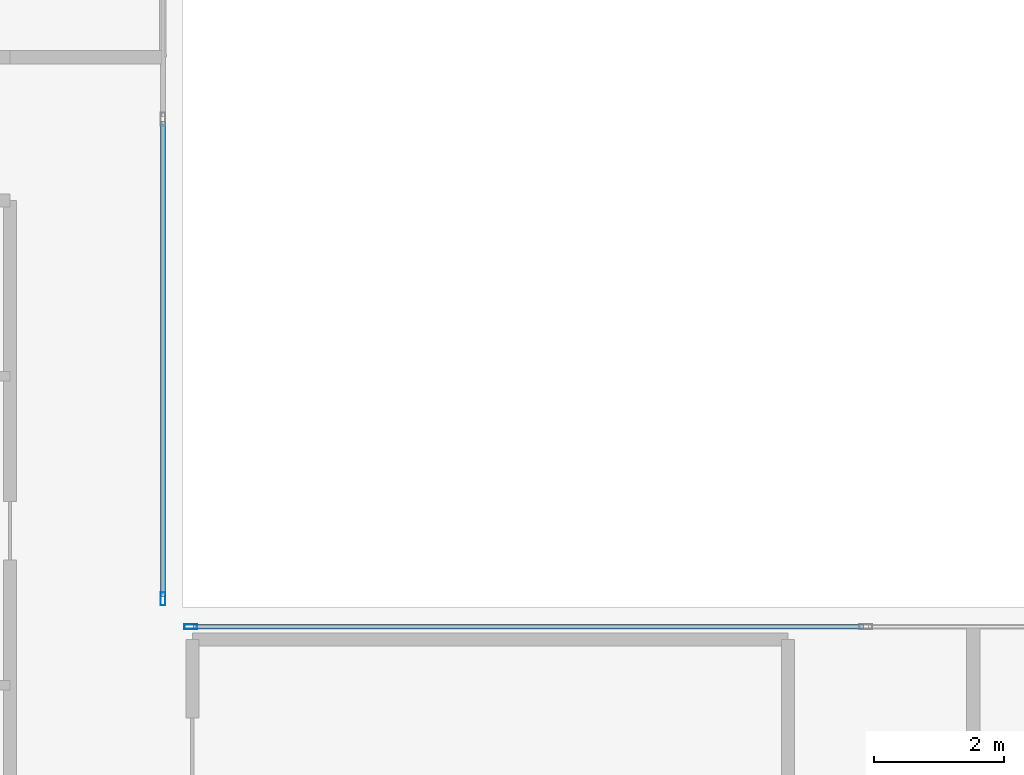
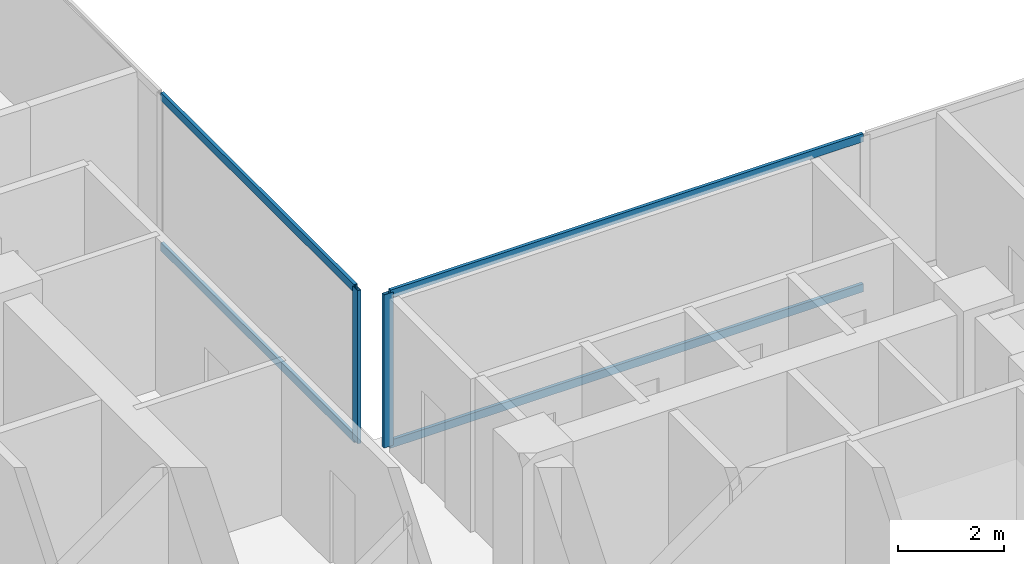
# One storey, part 9 of 28: 6 members, 2 elements without a shape of their own.
"""IFC4 building model written with IfcOpenShell, lengths in metres."""

import ifcopenshell
import ifcopenshell.guid

model = None  # the IFC model being written
_history = None  # IfcOwnerHistory: only IFC2X3 demands one
_inside = {}  # id of a spatial element -> (the spatial element, [elements in it])
_under = {}  # id of a project, library or spatial element -> (it, [spatial elements below it])
_declared = {}  # id of a project -> (the project, [libraries it declares])
_typed = {}  # id of a type object -> (the type object, [elements of that type])
_made_of = {}  # id of a material, layer set ... -> (it, [elements and type objects made of it])


def new_model(schema):
    """Start an empty IFC model of exactly this schema.

    Asked for "IFC4X3", IfcOpenShell would pick the latest addendum, in which some entities
    have other attributes; the version numbers below select the first issue.
    IFC2X3 requires an IfcOwnerHistory on every rooted entity: one is made here for all.
    """
    global model, _history
    if schema == "IFC4X3":
        model = ifcopenshell.file(schema_version=(4, 3, 0, 0))
    else:
        model = ifcopenshell.file(schema=schema)
    _inside.clear()
    _under.clear()
    _declared.clear()
    _typed.clear()
    _made_of.clear()
    _history = None
    if model.schema == "IFC2X3":
        org = make("IfcOrganization", Name="unknown")
        user = make(
            "IfcPersonAndOrganization",
            ThePerson=make("IfcPerson", FamilyName="unknown"),
            TheOrganization=org,
        )
        app = make(
            "IfcApplication",
            ApplicationDeveloper=org,
            Version="unknown",
            ApplicationFullName="unknown",
            ApplicationIdentifier="unknown",
        )
        _history = make(
            "IfcOwnerHistory",
            OwningUser=user,
            OwningApplication=app,
            ChangeAction="ADDED",
            CreationDate=0,
        )
    return model


def make(cls, **values):
    """One entity of the class cls with the attributes given. An attribute that is None is left unset."""
    return model.create_entity(
        cls, **{name: value for name, value in values.items() if value is not None}
    )


def rooted(cls, **values):
    """An entity with a GlobalId (a new one), such as an element, a storey or a relation."""
    return make(cls, GlobalId=ifcopenshell.guid.new(), OwnerHistory=_history, **values)


def si_unit(unit_type, name, prefix=None):
    """IfcSIUnit, for example si_unit("LENGTHUNIT", "METRE", prefix="MILLI")."""
    return make("IfcSIUnit", UnitType=unit_type, Prefix=prefix, Name=name)


def assignment(units):
    """IfcUnitAssignment: the units of a project."""
    return None if units is None else make("IfcUnitAssignment", Units=units)


def point(xyz):
    """IfcCartesianPoint."""
    return None if xyz is None else make("IfcCartesianPoint", Coordinates=xyz)


def direction(xyz):
    """IfcDirection."""
    return None if xyz is None else make("IfcDirection", DirectionRatios=xyz)


def frame(location, z_axis=None, x_axis=None):
    """IfcAxis2Placement3D, a coordinate frame: its origin and axes. An axis left out is left unset."""
    return make(
        "IfcAxis2Placement3D",
        Location=point(location),
        Axis=direction(z_axis),
        RefDirection=direction(x_axis),
    )


def frame_2d(location, x_axis=None):
    """IfcAxis2Placement2D, a coordinate frame in the plane: its origin and x axis."""
    return make(
        "IfcAxis2Placement2D", Location=point(location), RefDirection=direction(x_axis)
    )


def origin():
    """The frame at (0, 0, 0) with its axes left unset."""
    return frame((0.0, 0.0, 0.0))


def origin_2d():
    """The frame at (0, 0) in the plane with its x axis left unset."""
    return frame_2d((0.0, 0.0))


def place(relative_to, where):
    """IfcLocalPlacement: puts the frame where relative to a parent placement (None: the world)."""
    return make(
        "IfcLocalPlacement", PlacementRelTo=relative_to, RelativePlacement=where
    )


def context(
    kind, dimensions, precision=None, world=None, true_north=None, identifier=None
):
    """IfcGeometricRepresentationContext, for example the 3D "Model" context."""
    return make(
        "IfcGeometricRepresentationContext",
        ContextIdentifier=identifier,
        ContextType=kind,
        CoordinateSpaceDimension=dimensions,
        Precision=precision,
        WorldCoordinateSystem=world,
        TrueNorth=true_north,
    )


def subcontext(parent, identifier, kind, view, scale=None):
    """IfcGeometricRepresentationSubContext, for example "Body" below "Model"."""
    return make(
        "IfcGeometricRepresentationSubContext",
        ContextIdentifier=identifier,
        ContextType=kind,
        ParentContext=parent,
        TargetScale=scale,
        TargetView=view,
    )


def project(units=None, contexts=None):
    """IfcProject with its units and contexts."""
    return rooted(
        "IfcProject",
        Name="project",
        RepresentationContexts=contexts,
        UnitsInContext=assignment(units),
    )


def spatial(cls, under=None, at=None, **own):
    """A site, building, storey or space (cls), placed at a placement, below another one or the project."""
    s = rooted(cls, ObjectPlacement=at, **own)
    if under is not None:
        _under.setdefault(under.id(), (under, []))[1].append(s)
    return s


def profile(cls, at=None, kind="AREA", **sizes):
    """A parametric profile (cls). Its sizes go by their IFC names, for example OverallWidth=200.0."""
    return make(cls, ProfileType=kind, Position=at, **sizes)


def hollow_rectangle(**sizes):
    """IfcRectangleHollowProfileDef."""
    return profile("IfcRectangleHollowProfileDef", **sizes)


def extrude(swept, where, along, depth):
    """IfcExtrudedAreaSolid: the profile swept, set in the frame where, extruded along a direction by depth."""
    return make(
        "IfcExtrudedAreaSolid",
        SweptArea=swept,
        Position=where,
        ExtrudedDirection=direction(along),
        Depth=depth,
    )


def shape(context_of_items, identifier, shape_type, items):
    """IfcShapeRepresentation: the items that make up one representation, for example the "Body"."""
    return make(
        "IfcShapeRepresentation",
        ContextOfItems=context_of_items,
        RepresentationIdentifier=identifier,
        RepresentationType=shape_type,
        Items=items,
    )


def material(Name=None, Category=None):
    """IfcMaterial."""
    return make("IfcMaterial", Name=Name, Category=Category)


def layer(
    of_material, thickness, ventilated=None, Name=None, Category=None, Priority=None
):
    """IfcMaterialLayer: one layer of a wall or slab, of a material (None: an air gap)."""
    return make(
        "IfcMaterialLayer",
        Material=of_material,
        LayerThickness=thickness,
        IsVentilated=ventilated,
        Name=Name,
        Category=Category,
        Priority=Priority,
    )


def layer_set(layers, Name=None):
    """IfcMaterialLayerSet."""
    return make("IfcMaterialLayerSet", MaterialLayers=layers, LayerSetName=Name)


def material_profile(
    of_material, cross_section, Name=None, Category=None, Priority=None
):
    """IfcMaterialProfile: a cross section and its material."""
    return make(
        "IfcMaterialProfile",
        Name=Name,
        Material=of_material,
        Profile=cross_section,
        Priority=Priority,
        Category=Category,
    )


def profile_set(profiles, Name=None, composite=None):
    """IfcMaterialProfileSet."""
    return make(
        "IfcMaterialProfileSet",
        Name=Name,
        MaterialProfiles=profiles,
        CompositeProfile=composite,
    )


def made_of(thing, what):
    """Note that an element or type object is made of a material, layer set ...; save() writes the relation."""
    if what is not None:
        _made_of.setdefault(what.id(), (what, []))[1].append(thing)
    return thing


def type_object(cls, material=None, **own):
    """A type object (cls), such as IfcWallType, which elements share."""
    return made_of(rooted(cls, **own), material)


def element(
    cls,
    number,
    at=None,
    inside=None,
    cuts=None,
    type_object=None,
    material=None,
    context=None,
    identifier="Body",
    shape_type=None,
    held_by="IfcProductDefinitionShape",
    body=None,
    shapes=None,
    **own,
):
    """One element of the class cls, such as IfcWall. Its Tag is "e" and its number.

    at: its placement. inside: the storey or other place that contains it. cuts: it is an
    opening in that element (IfcRelVoidsElement). A single representation is given by context,
    identifier, shape_type and body (its items); several are given by shapes. held_by: the class
    of the entity that holds the representations. save() writes the other relations.
    """
    e = rooted(cls, Tag="e%d" % number, ObjectPlacement=at, **own)
    if body is not None:
        shapes = [shape(context, identifier, shape_type, body)]
    if shapes is not None:
        e.Representation = make(held_by, Representations=shapes)
    if inside is not None:
        _inside.setdefault(inside.id(), (inside, []))[1].append(e)
    if cuts is not None:
        rooted(
            "IfcRelVoidsElement", RelatingBuildingElement=cuts, RelatedOpeningElement=e
        )
    if type_object is not None:
        _typed.setdefault(type_object.id(), (type_object, []))[1].append(e)
    return made_of(e, material)


def aggregate(whole, parts):
    """IfcRelAggregates: a whole, such as a stair, and the parts it consists of."""
    return rooted("IfcRelAggregates", RelatingObject=whole, RelatedObjects=parts)


def save(model, path):
    """Write the relations noted so far, then the file.

    IfcRelAggregates (storeys below a building ...), IfcRelContainedInSpatialStructure (elements
    in a storey), IfcRelDefinesByType, IfcRelAssociatesMaterial and IfcRelDeclares: one each for
    every whole, place, type object, material and project.
    """
    for whole, parts in _under.values():
        aggregate(whole, parts)
    for where, things in _inside.values():
        rooted(
            "IfcRelContainedInSpatialStructure",
            RelatedElements=things,
            RelatingStructure=where,
        )
    for kind, things in _typed.values():
        rooted("IfcRelDefinesByType", RelatedObjects=things, RelatingType=kind)
    for what, things in _made_of.values():
        rooted("IfcRelAssociatesMaterial", RelatedObjects=things, RelatingMaterial=what)
    for by, libraries in _declared.values():
        rooted("IfcRelDeclares", RelatingContext=by, RelatedDefinitions=libraries)
    model.write(path)


model = new_model("IFC4")

# Units and contexts
model_context = context("Model", 3, precision=1e-05, world=origin(), true_north=direction((0.0, 1.0)))
body_context = subcontext(model_context, "Body", "Model", "MODEL_VIEW")
ifc_project = project(units=[si_unit("LENGTHUNIT", "METRE"), si_unit("AREAUNIT", "SQUARE_METRE"), si_unit("VOLUMEUNIT", "CUBIC_METRE"), si_unit("PLANEANGLEUNIT", "RADIAN"), si_unit("MASSUNIT", "GRAM", prefix="KILO"), si_unit("THERMODYNAMICTEMPERATUREUNIT", "KELVIN"), si_unit("POWERUNIT", "WATT")], contexts=[model_context])

# Site, building, storey
site_placement = place(None, origin())
site = spatial("IfcSite", under=ifc_project, at=site_placement, CompositionType="ELEMENT")
building_placement = place(site_placement, origin())
building = spatial("IfcBuilding", under=site, at=building_placement, Name="Svarakhadi Broadcast Tower", CompositionType="ELEMENT")
storey_placement = place(building_placement, frame((0.0, 0.0, 138.14990234375)))
storey = spatial("IfcBuildingStorey", under=building, at=storey_placement, Name="L33", CompositionType="ELEMENT", Elevation=138.14990234375)

# Curtain wall, member
ifc_material = material(Name="Anodised Bronze Aluminium AA 6063-T6", Category="aluminium")
ifc_layer = layer(ifc_material, 0.199951171875)
ifc_layer_set = layer_set([ifc_layer], Name="Anodised Bronze Aluminium AA 6063-T6")
curtain_wall_type = type_object("IfcCurtainWallType", Name="CW_Sys_03", PredefinedType="NOTDEFINED", material=ifc_layer_set)
curtain_wall_1_placement = place(storey_placement, origin())
curtain_wall_1 = element("IfcCurtainWall", 1, at=curtain_wall_1_placement, inside=storey, type_object=curtain_wall_type, Name="L33 Unitised Facade Curtain Wall 09", PredefinedType="NOTDEFINED")
ifc_material_profile_1 = material_profile(ifc_material, hollow_rectangle(XDim=0.074951171875, YDim=0.199951171875, WallThickness=0.005615234375, at=origin_2d()), Name="ALU MULLION 200x75x6")
ifc_profile_set_1 = profile_set([ifc_material_profile_1], Name="Anodised Bronze Aluminium AA 6063-T6")
member_type_1 = type_object("IfcMemberType", Name="CW_Sys_03_Mul", PredefinedType="MULLION", material=ifc_profile_set_1)
member_1_placement = place(storey_placement, frame((23.699951171875, 24.12744140625, 0.0), z_axis=(0.0, 0.0, 1.0), x_axis=(1.0, 0.0, 0.0)))
member_1 = element("IfcMember", 2, at=member_1_placement, type_object=member_type_1, Name="CW-03 mullion 3", PredefinedType="MULLION", context=body_context, shape_type="SweptSolid", body=[
    extrude(hollow_rectangle(XDim=0.074951171875, YDim=0.199951171875, WallThickness=0.005615234375, at=origin_2d()), origin(), (0.0, 0.0, 1.0), 3.525146484375),
])

curtain_wall_2_placement = place(storey_placement, origin())
curtain_wall_2 = element("IfcCurtainWall", 3, at=curtain_wall_2_placement, inside=storey, type_object=curtain_wall_type, Name="L33 Unitised Facade Curtain Wall 10", PredefinedType="NOTDEFINED")
member_2_placement = place(storey_placement, frame((24.12744140625, 23.699951171875, 0.0), z_axis=(0.0, 0.0, 1.0), x_axis=(0.0, 1.0, 0.0)))
member_2 = element("IfcMember", 4, at=member_2_placement, type_object=member_type_1, Name="CW-03 mullion 1", PredefinedType="MULLION", context=body_context, shape_type="SweptSolid", body=[
    extrude(hollow_rectangle(XDim=0.074951171875, YDim=0.199951171875, WallThickness=0.005615234375, at=origin_2d()), origin(), (0.0, 0.0, 1.0), 3.525146484375),
])

# Member
ifc_material_profile_2 = material_profile(ifc_material, hollow_rectangle(XDim=0.070068359375, YDim=0.18505859375, WallThickness=0.0048828125, at=origin_2d()), Name="ALU TRANSOM 185x70x5")
ifc_profile_set_2 = profile_set([ifc_material_profile_2], Name="Anodised Bronze Aluminium AA 6063-T6")
member_type_2 = type_object("IfcMemberType", Name="CW_Sys_03_Trn", PredefinedType="USERDEFINED", material=ifc_profile_set_2)
member_3_placement = place(storey_placement, frame((23.699951171875, 31.46240234375, 0.03515625), z_axis=(0.0, -1.0, 0.0), x_axis=(1.0, 0.0, 0.0)))
member_3 = element("IfcMember", 5, at=member_3_placement, type_object=member_type_2, Name="CW-03 transom 2.1", ObjectType="TRANSOM", PredefinedType="USERDEFINED", context=body_context, shape_type="SweptSolid", body=[
    extrude(hollow_rectangle(XDim=0.070068359375, YDim=0.18505859375, WallThickness=0.0048828125, at=origin_2d()), origin(), (0.0, 0.0, 1.0), 7.29736328125),
])

member_4_placement = place(storey_placement, frame((23.699951171875, 31.46240234375, 3.489990234375), z_axis=(0.0, -1.0, 0.0), x_axis=(1.0, 0.0, 0.0)))
member_4 = element("IfcMember", 6, at=member_4_placement, type_object=member_type_2, Name="CW-03 transom 2.2", ObjectType="TRANSOM", PredefinedType="USERDEFINED", context=body_context, shape_type="SweptSolid", body=[
    extrude(hollow_rectangle(XDim=0.070068359375, YDim=0.18505859375, WallThickness=0.0048828125, at=origin_2d()), origin(), (0.0, 0.0, 1.0), 7.29736328125),
])

aggregate(curtain_wall_1, [member_1, member_3, member_4])

member_5_placement = place(storey_placement, frame((24.1650390625, 23.699951171875, 0.03515625), z_axis=(1.0, 0.0, 0.0), x_axis=(0.0, 1.0, 0.0)))
member_5 = element("IfcMember", 7, at=member_5_placement, type_object=member_type_2, Name="CW-03 transom 1.1", ObjectType="TRANSOM", PredefinedType="USERDEFINED", context=body_context, shape_type="SweptSolid", body=[
    extrude(hollow_rectangle(XDim=0.070068359375, YDim=0.18505859375, WallThickness=0.0048828125, at=origin_2d()), origin(), (0.0, 0.0, 1.0), 10.29736328125),
])

member_6_placement = place(storey_placement, frame((24.1650390625, 23.699951171875, 3.489990234375), z_axis=(1.0, 0.0, 0.0), x_axis=(0.0, 1.0, 0.0)))
member_6 = element("IfcMember", 8, at=member_6_placement, type_object=member_type_2, Name="CW-03 transom 1.2", ObjectType="TRANSOM", PredefinedType="USERDEFINED", context=body_context, shape_type="SweptSolid", body=[
    extrude(hollow_rectangle(XDim=0.070068359375, YDim=0.18505859375, WallThickness=0.0048828125, at=origin_2d()), origin(), (0.0, 0.0, 1.0), 10.29736328125),
])

aggregate(curtain_wall_2, [member_2, member_5, member_6])

save(model, "model.ifc")
